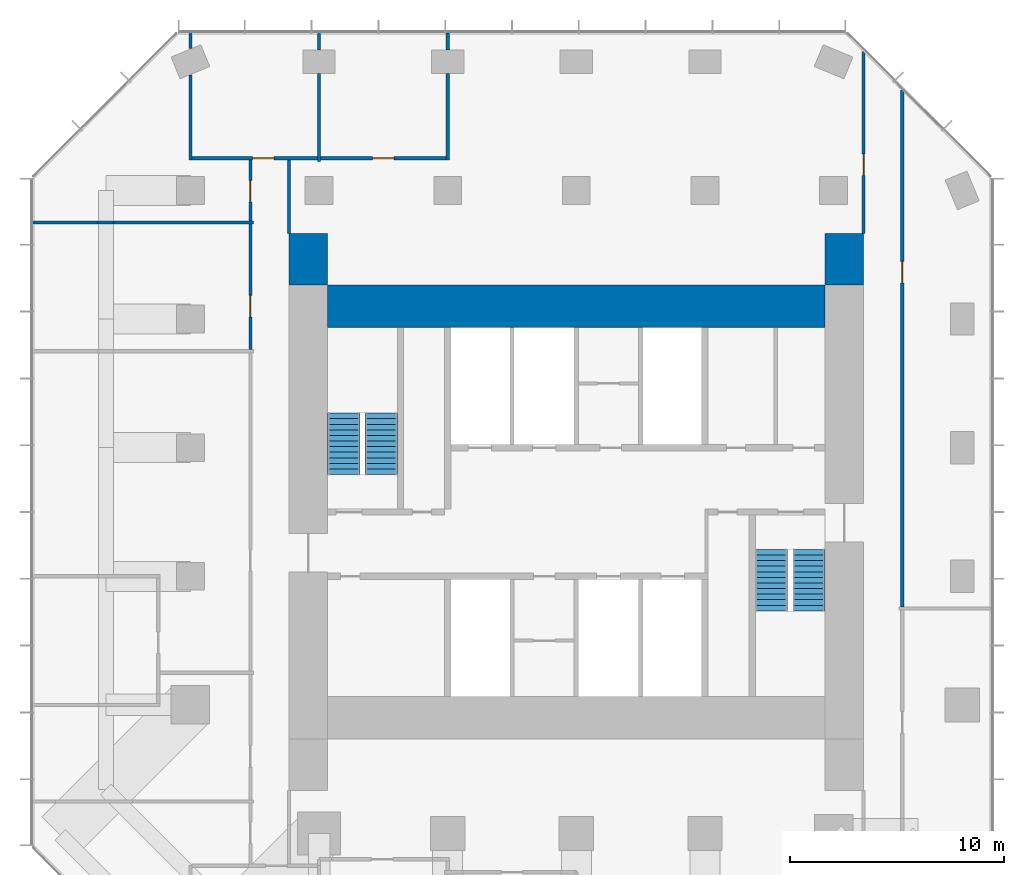
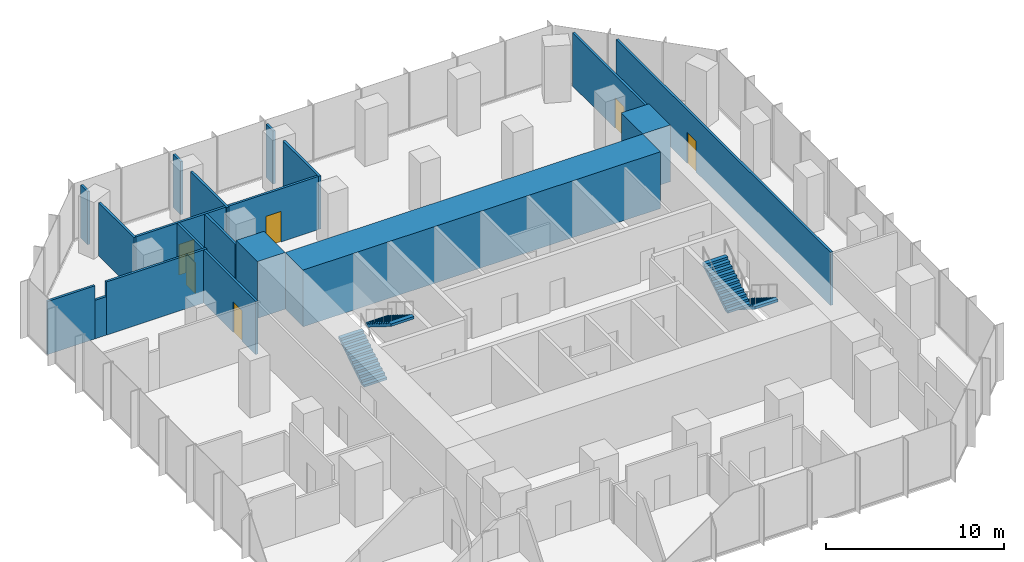
# One storey, part 10 of 11: 19 walls, 6 doors, 4 stair flights, 6 openings, 2 elements without a shape of their own.
"""IFC4 building model written with IfcOpenShell, lengths in metres."""

from ifc_helpers import new_model, si_unit, direction, frame, frame_2d, origin, place, context, subcontext, project, spatial, polyline, rectangle, outline, extrude, material, layer, layer_set, type_object, element, fill, aggregate, save


model = new_model("IFC4")

# Units and contexts
model_context = context("Model", 3, precision=1e-05, world=origin(), true_north=direction((0.0, 1.0)))
body_context = subcontext(model_context, "Body", "Model", "MODEL_VIEW")
ifc_project = project(units=[si_unit("LENGTHUNIT", "METRE"), si_unit("AREAUNIT", "SQUARE_METRE"), si_unit("VOLUMEUNIT", "CUBIC_METRE"), si_unit("PLANEANGLEUNIT", "RADIAN"), si_unit("MASSUNIT", "GRAM", prefix="KILO")], contexts=[model_context])

# Site, building, storey
site_placement = place(None, origin())
site = spatial("IfcSite", under=ifc_project, at=site_placement, CompositionType="ELEMENT")
building_placement = place(site_placement, origin())
building = spatial("IfcBuilding", under=site, at=building_placement, Name="Highveld Stack Headquarters", CompositionType="ELEMENT")
storey_placement = place(building_placement, frame((0.0, 0.0, 224.0)))
storey = spatial("IfcBuildingStorey", under=building, at=storey_placement, Name="L55", CompositionType="ELEMENT", Elevation=224.0)

# Walls
ifc_material_1 = material(Name="Concrete C60/75", Category="concrete")
ifc_layer_1 = layer(ifc_material_1, 2.0)
ifc_layer_set_1 = layer_set([ifc_layer_1], Name="Concrete C60/75")
wall_type_1 = type_object("IfcWallType", Name="CORE WALL 2000 C60/75", PredefinedType="SHEAR", material=ifc_layer_set_1)
wall_1_placement = place(storey_placement, frame((-5.60009765625, 12.60009765625, 0.0), z_axis=(0.0, 0.0, 1.0), x_axis=(1.0, 0.0, 0.0)))
element("IfcWall", 1, at=wall_1_placement, inside=storey, type_object=wall_type_1, Name="Core wall N L55", PredefinedType="SHEAR", context=body_context, shape_type="SweptSolid", body=[
    extrude(rectangle(XDim=23.2001953125, YDim=2.0, at=frame_2d((11.60009765625, 0.0))), origin(), (0.0, 0.0, 1.0), 3.89990234375),
])
ifc_material_2 = material(Name="Concrete C60/75", Category="concrete")
ifc_layer_2 = layer(ifc_material_2, 1.800048828125)
ifc_layer_set_2 = layer_set([ifc_layer_2], Name="Concrete C60/75")
wall_type_2 = type_object("IfcWallType", Name="CORE WING WALL 1800 C60/75", PredefinedType="SHEAR", material=ifc_layer_set_2)
for number, where, z_axis, x_axis, name in (
    (2, (-6.5, 13.60009765625, 0.0), (0.0, 0.0, 1.0), (0.0, 1.0, 0.0), "Core wing wall WN L55"),
    (3, (18.5, 13.60009765625, 0.0), (0.0, 0.0, 1.0), (0.0, 1.0, 0.0), "Core wing wall EN L55"),
):
    element("IfcWall", number, at=place(storey_placement, frame(where, z_axis=z_axis, x_axis=x_axis)), inside=storey, type_object=wall_type_2, Name=name, PredefinedType="SHEAR", context=body_context, shape_type="SweptSolid", body=[
        extrude(rectangle(XDim=2.39990234375, YDim=1.800048828125, at=frame_2d((1.199951171875, 0.0))), origin(), (0.0, 0.0, 1.0), 3.89990234375),
    ])

# Wall, opening, door
ifc_material_3 = material(Name="Gypsum plasterboard on steel studs", Category="steel")
ifc_layer_3 = layer(ifc_material_3, 0.14990234375)
ifc_layer_set_3 = layer_set([ifc_layer_3], Name="Gypsum plasterboard on steel studs")
wall_type_3 = type_object("IfcWallType", Name="PARTITION 150 PLASTERBOARD", PredefinedType="PARTITIONING", material=ifc_layer_set_3)
wall_2_placement = place(storey_placement, frame((-11.925048828125, 19.5, 0.0), z_axis=(0.0, 0.0, 1.0), x_axis=(1.0, 0.0, 0.0)))
wall_2 = element("IfcWall", 4, at=wall_2_placement, inside=storey, type_object=wall_type_3, Name="Partition Quiet room L55", PredefinedType="PARTITIONING", context=body_context, shape_type="SweptSolid", body=[
    extrude(rectangle(XDim=5.85009765625, YDim=0.14990234375, at=frame_2d((2.925048828125, 0.0))), origin(), (0.0, 0.0, 1.0), 3.64990234375),
])
opening_1_placement = place(wall_2_placement, frame((2.824951171875, 0.0, 0.0)))
opening_1 = element("IfcOpeningElement", 5, at=opening_1_placement, cuts=wall_2, Name="Opening L55-19", PredefinedType="OPENING", context=body_context, shape_type="SweptSolid", body=[
    extrude(rectangle(XDim=1.0, YDim=2.10009765625, at=frame_2d((0.5, 1.050048828125))), frame((0.0, 0.0849609375, 0.0), z_axis=(0.0, -1.0, 0.0), x_axis=(1.0, 0.0, 0.0)), (0.0, 0.0, 1.0), 0.169921875),
])
ifc_material_4 = material(Name="Timber door, oiled ash", Category="wood")
door_type = type_object("IfcDoorType", Name="ROOM DOOR D6 1000x2100", OperationType="SINGLE_SWING_LEFT", PredefinedType="DOOR", material=ifc_material_4)
door_1_placement = place(opening_1_placement, origin())
door_1 = element("IfcDoor", 6, at=door_1_placement, inside=storey, type_object=door_type, Name="Quiet room door 1 L55", OperationType="SINGLE_SWING_RIGHT", OverallHeight=2.10009765625, OverallWidth=1.0, PredefinedType="DOOR", context=body_context, shape_type="SweptSolid", body=[
    extrude(rectangle(XDim=1.0, YDim=2.10009765625, at=frame_2d((0.5, 1.050048828125))), frame((0.0, 0.02490234375, 0.0), z_axis=(0.0, -1.0, 0.0), x_axis=(1.0, 0.0, 0.0)), (0.0, 0.0, 1.0), 0.050048828125),
])
fill(opening_1, door_1)

wall_3_placement = place(storey_placement, frame((-5.925048828125, 19.5, 0.0), z_axis=(0.0, 0.0, 1.0), x_axis=(1.0, 0.0, 0.0)))
wall_3 = element("IfcWall", 7, at=wall_3_placement, inside=storey, type_object=wall_type_3, Name="Partition Quiet room L55", PredefinedType="PARTITIONING", context=body_context, shape_type="SweptSolid", body=[
    extrude(rectangle(XDim=5.85009765625, YDim=0.14990234375, at=frame_2d((2.925048828125, 0.0))), origin(), (0.0, 0.0, 1.0), 3.64990234375),
])
opening_2_placement = place(wall_3_placement, frame((2.425048828125, 0.0, 0.0)))
opening_2 = element("IfcOpeningElement", 8, at=opening_2_placement, cuts=wall_3, Name="Opening L55-20", PredefinedType="OPENING", context=body_context, shape_type="SweptSolid", body=[
    extrude(rectangle(XDim=1.0, YDim=2.10009765625, at=frame_2d((0.5, 1.050048828125))), frame((0.0, 0.0849609375, 0.0), z_axis=(0.0, -1.0, 0.0), x_axis=(1.0, 0.0, 0.0)), (0.0, 0.0, 1.0), 0.169921875),
])
door_2_placement = place(opening_2_placement, origin())
door_2 = element("IfcDoor", 9, at=door_2_placement, inside=storey, type_object=door_type, Name="Quiet room door 1 L55", OperationType="SINGLE_SWING_RIGHT", OverallHeight=2.10009765625, OverallWidth=1.0, PredefinedType="DOOR", context=body_context, shape_type="SweptSolid", body=[
    extrude(rectangle(XDim=1.0, YDim=2.10009765625, at=frame_2d((0.5, 1.050048828125))), frame((0.0, 0.02490234375, 0.0), z_axis=(0.0, -1.0, 0.0), x_axis=(1.0, 0.0, 0.0)), (0.0, 0.0, 1.0), 0.050048828125),
])
fill(opening_2, door_2)

# Walls
wall_4_placement = place(storey_placement, frame((-12.0, 19.425048828125, 0.0), z_axis=(0.0, 0.0, 1.0), x_axis=(0.0, 1.0, 0.0)))
element("IfcWall", 10, at=wall_4_placement, inside=storey, type_object=wall_type_3, Name="Partition Quiet room L55", PredefinedType="PARTITIONING", context=body_context, shape_type="SweptSolid", body=[
    extrude(rectangle(XDim=3.948486328125, YDim=0.14990234375, at=frame_2d((1.97412109375, 0.0))), origin(), (0.0, 0.0, 1.0), 3.64990234375),
])
wall_5_placement = place(storey_placement, frame((-12.0, 24.62646484375, 0.0), z_axis=(0.0, 0.0, 1.0), x_axis=(0.0, 1.0, 0.0)))
element("IfcWall", 11, at=wall_5_placement, inside=storey, type_object=wall_type_3, Name="Partition Quiet room L55", PredefinedType="PARTITIONING", context=body_context, shape_type="SweptSolid", body=[
    extrude(rectangle(XDim=0.7734375, YDim=0.14990234375, at=frame_2d((0.38671875, 0.0))), origin(), (0.0, 0.0, 1.0), 3.64990234375),
])
wall_6_placement = place(storey_placement, frame((-6.0, 19.35009765625, 0.0), z_axis=(0.0, 0.0, 1.0), x_axis=(0.0, 1.0, 0.0)))
element("IfcWall", 12, at=wall_6_placement, inside=storey, type_object=wall_type_3, Name="Partition Quiet room L55", PredefinedType="PARTITIONING", context=body_context, shape_type="SweptSolid", body=[
    extrude(rectangle(XDim=4.099853515625, YDim=0.14990234375, at=frame_2d((2.0498046875, 0.0))), origin(), (0.0, 0.0, 1.0), 3.64990234375),
])
wall_7_placement = place(storey_placement, frame((-6.0, 24.550048828125, 0.0), z_axis=(0.0, 0.0, 1.0), x_axis=(0.0, 1.0, 0.0)))
element("IfcWall", 13, at=wall_7_placement, inside=storey, type_object=wall_type_3, Name="Partition Quiet room L55", PredefinedType="PARTITIONING", context=body_context, shape_type="SweptSolid", body=[
    extrude(rectangle(XDim=0.849853515625, YDim=0.14990234375, at=frame_2d((0.4248046875, 0.0))), origin(), (0.0, 0.0, 1.0), 3.64990234375),
])
wall_8_placement = place(storey_placement, frame((0.0, 19.425048828125, 0.0), z_axis=(0.0, 0.0, 1.0), x_axis=(0.0, 1.0, 0.0)))
element("IfcWall", 14, at=wall_8_placement, inside=storey, type_object=wall_type_3, Name="Partition Quiet room L55", PredefinedType="PARTITIONING", context=body_context, shape_type="SweptSolid", body=[
    extrude(rectangle(XDim=4.02490234375, YDim=0.14990234375, at=frame_2d((2.012451171875, 0.0))), origin(), (0.0, 0.0, 1.0), 3.64990234375),
])
wall_9_placement = place(storey_placement, frame((0.0, 24.550048828125, 0.0), z_axis=(0.0, 0.0, 1.0), x_axis=(0.0, 1.0, 0.0)))
element("IfcWall", 15, at=wall_9_placement, inside=storey, type_object=wall_type_3, Name="Partition Quiet room L55", PredefinedType="PARTITIONING", context=body_context, shape_type="SweptSolid", body=[
    extrude(rectangle(XDim=0.800048828125, YDim=0.14990234375, at=frame_2d((0.39990234375, 0.0))), origin(), (0.0, 0.0, 1.0), 3.64990234375),
])
wall_10_placement = place(storey_placement, frame((-19.39990234375, 16.5, 0.0), z_axis=(0.0, 0.0, 1.0), x_axis=(1.0, 0.0, 0.0)))
element("IfcWall", 16, at=wall_10_placement, inside=storey, type_object=wall_type_3, Name="Partition office neighbourhood L55", PredefinedType="PARTITIONING", context=body_context, shape_type="SweptSolid", body=[
    extrude(rectangle(XDim=3.08984375, YDim=0.14990234375, at=frame_2d((1.544921875, 0.0))), origin(), (0.0, 0.0, 1.0), 3.64990234375),
])
wall_11_placement = place(storey_placement, frame((-16.31005859375, 16.5, 0.0), z_axis=(0.0, 0.0, 1.0), x_axis=(1.0, 0.0, 0.0)))
element("IfcWall", 17, at=wall_11_placement, inside=storey, type_object=wall_type_3, Name="Partition office neighbourhood L55", PredefinedType="PARTITIONING", context=body_context, shape_type="SweptSolid", body=[
    extrude(rectangle(XDim=0.719970703125, YDim=0.14990234375, at=frame_2d((0.35986328125, 0.0))), origin(), (0.0, 0.0, 1.0), 2.64990234375),
])
wall_12_placement = place(storey_placement, frame((-15.590087890625, 16.5, 0.0), z_axis=(0.0, 0.0, 1.0), x_axis=(1.0, 0.0, 0.0)))
element("IfcWall", 18, at=wall_12_placement, inside=storey, type_object=wall_type_3, Name="Partition office neighbourhood L55", PredefinedType="PARTITIONING", context=body_context, shape_type="SweptSolid", body=[
    extrude(rectangle(XDim=6.5400390625, YDim=0.14990234375, at=frame_2d((3.27001953125, 0.0))), origin(), (0.0, 0.0, 1.0), 3.64990234375),
])

# Wall, opening, door
wall_13_placement = place(storey_placement, frame((-9.199951171875, 10.574951171875, 0.0), z_axis=(0.0, 0.0, 1.0), x_axis=(0.0, 1.0, 0.0)))
wall_13 = element("IfcWall", 19, at=wall_13_placement, inside=storey, type_object=wall_type_3, Name="Partition office neighbourhood L55", PredefinedType="PARTITIONING", context=body_context, shape_type="SweptSolid", body=[
    extrude(rectangle(XDim=5.85009765625, YDim=0.14990234375, at=frame_2d((2.925048828125, 0.0))), origin(), (0.0, 0.0, 1.0), 3.64990234375),
])
opening_3_placement = place(wall_13_placement, frame((1.52490234375, 0.0, 0.0)))
opening_3 = element("IfcOpeningElement", 20, at=opening_3_placement, cuts=wall_13, Name="Opening L55-27", PredefinedType="OPENING", context=body_context, shape_type="SweptSolid", body=[
    extrude(rectangle(XDim=1.0, YDim=2.10009765625, at=frame_2d((0.5, 1.050048828125))), frame((0.0, 0.0849609375, 0.0), z_axis=(0.0, -1.0, 0.0), x_axis=(1.0, 0.0, 0.0)), (0.0, 0.0, 1.0), 0.169921875),
])
door_3_placement = place(opening_3_placement, origin())
door_3 = element("IfcDoor", 21, at=door_3_placement, inside=storey, type_object=door_type, Name="Office neighbourhood door L55", OperationType="SINGLE_SWING_LEFT", OverallHeight=2.10009765625, OverallWidth=1.0, PredefinedType="DOOR", context=body_context, shape_type="SweptSolid", body=[
    extrude(rectangle(XDim=1.0, YDim=2.10009765625, at=frame_2d((0.5, 1.050048828125))), frame((0.0, 0.02490234375, 0.0), z_axis=(0.0, -1.0, 0.0), x_axis=(1.0, 0.0, 0.0)), (0.0, 0.0, 1.0), 0.050048828125),
])
fill(opening_3, door_3)

wall_14_placement = place(storey_placement, frame((-9.199951171875, 16.574951171875, 0.0), z_axis=(0.0, 0.0, 1.0), x_axis=(0.0, 1.0, 0.0)))
wall_14 = element("IfcWall", 22, at=wall_14_placement, inside=storey, type_object=wall_type_3, Name="Partition office neighbourhood L55", PredefinedType="PARTITIONING", context=body_context, shape_type="SweptSolid", body=[
    extrude(rectangle(XDim=2.85009765625, YDim=0.14990234375, at=frame_2d((1.425048828125, 0.0))), origin(), (0.0, 0.0, 1.0), 3.64990234375),
])
opening_4_placement = place(wall_14_placement, frame((0.886962890625, 0.0, 0.0)))
opening_4 = element("IfcOpeningElement", 23, at=opening_4_placement, cuts=wall_14, Name="Opening L55-29", PredefinedType="OPENING", context=body_context, shape_type="SweptSolid", body=[
    extrude(rectangle(XDim=1.0, YDim=2.10009765625, at=frame_2d((0.5, 1.050048828125))), frame((0.0, 0.0849609375, 0.0), z_axis=(0.0, -1.0, 0.0), x_axis=(1.0, 0.0, 0.0)), (0.0, 0.0, 1.0), 0.169921875),
])
door_4_placement = place(opening_4_placement, origin())
door_4 = element("IfcDoor", 24, at=door_4_placement, inside=storey, type_object=door_type, Name="Office neighbourhood door L55", OperationType="SINGLE_SWING_LEFT", OverallHeight=2.10009765625, OverallWidth=1.0, PredefinedType="DOOR", context=body_context, shape_type="SweptSolid", body=[
    extrude(rectangle(XDim=1.0, YDim=2.10009765625, at=frame_2d((0.5, 1.050048828125))), frame((0.0, 0.02490234375, 0.0), z_axis=(0.0, -1.0, 0.0), x_axis=(1.0, 0.0, 0.0)), (0.0, 0.0, 1.0), 0.050048828125),
])
fill(opening_4, door_4)

# Wall
wall_15_placement = place(storey_placement, frame((-7.39990234375, 16.0, 0.0), z_axis=(0.0, 0.0, 1.0), x_axis=(0.0, 1.0, 0.0)))
element("IfcWall", 25, at=wall_15_placement, inside=storey, type_object=wall_type_3, Name="Partition office neighbourhood L55", PredefinedType="PARTITIONING", context=body_context, shape_type="SweptSolid", body=[
    extrude(rectangle(XDim=3.425048828125, YDim=0.14990234375, at=frame_2d((1.71240234375, 0.0))), origin(), (0.0, 0.0, 1.0), 3.64990234375),
])

# Wall, opening, door
wall_16_placement = place(storey_placement, frame((19.39990234375, 16.0, 0.0), z_axis=(0.0, 0.0, 1.0), x_axis=(0.0, 1.0, 0.0)))
wall_16 = element("IfcWall", 26, at=wall_16_placement, inside=storey, type_object=wall_type_3, Name="Partition office neighbourhood L55", PredefinedType="PARTITIONING", context=body_context, shape_type="SweptSolid", body=[
    extrude(rectangle(XDim=8.489013671875, YDim=0.14990234375, at=frame_2d((4.24462890625, 0.0))), origin(), (0.0, 0.0, 1.0), 3.64990234375),
])
opening_5_placement = place(wall_16_placement, frame((2.699951171875, 0.0, 0.0)))
opening_5 = element("IfcOpeningElement", 27, at=opening_5_placement, cuts=wall_16, Name="Opening L55-28", PredefinedType="OPENING", context=body_context, shape_type="SweptSolid", body=[
    extrude(rectangle(XDim=1.0, YDim=2.10009765625, at=frame_2d((0.5, 1.050048828125))), frame((0.0, 0.0849609375, 0.0), z_axis=(0.0, -1.0, 0.0), x_axis=(1.0, 0.0, 0.0)), (0.0, 0.0, 1.0), 0.169921875),
])
door_5_placement = place(opening_5_placement, origin())
door_5 = element("IfcDoor", 28, at=door_5_placement, inside=storey, type_object=door_type, Name="Office neighbourhood door L55", OperationType="SINGLE_SWING_LEFT", OverallHeight=2.10009765625, OverallWidth=1.0, PredefinedType="DOOR", context=body_context, shape_type="SweptSolid", body=[
    extrude(rectangle(XDim=1.0, YDim=2.10009765625, at=frame_2d((0.5, 1.050048828125))), frame((0.0, 0.02490234375, 0.0), z_axis=(0.0, -1.0, 0.0), x_axis=(1.0, 0.0, 0.0)), (0.0, 0.0, 1.0), 0.050048828125),
])
fill(opening_5, door_5)

wall_17_placement = place(storey_placement, frame((21.199951171875, -1.425048828125, 0.0), z_axis=(0.0, 0.0, 1.0), x_axis=(0.0, 1.0, 0.0)))
wall_17 = element("IfcWall", 29, at=wall_17_placement, inside=storey, type_object=wall_type_3, Name="Partition office neighbourhood L55", PredefinedType="PARTITIONING", context=body_context, shape_type="SweptSolid", body=[
    extrude(rectangle(XDim=24.114013671875, YDim=0.14990234375, at=frame_2d((12.05712890625, 0.0))), origin(), (0.0, 0.0, 1.0), 3.64990234375),
])
opening_6_placement = place(wall_17_placement, frame((15.114990234375, 0.0, 0.0)))
opening_6 = element("IfcOpeningElement", 30, at=opening_6_placement, cuts=wall_17, Name="Opening L55-26", PredefinedType="OPENING", context=body_context, shape_type="SweptSolid", body=[
    extrude(rectangle(XDim=1.0, YDim=2.10009765625, at=frame_2d((0.5, 1.050048828125))), frame((0.0, 0.0849609375, 0.0), z_axis=(0.0, -1.0, 0.0), x_axis=(1.0, 0.0, 0.0)), (0.0, 0.0, 1.0), 0.169921875),
])
door_6_placement = place(opening_6_placement, origin())
door_6 = element("IfcDoor", 31, at=door_6_placement, inside=storey, type_object=door_type, Name="Office neighbourhood door L55", OperationType="SINGLE_SWING_RIGHT", OverallHeight=2.10009765625, OverallWidth=1.0, PredefinedType="DOOR", context=body_context, shape_type="SweptSolid", body=[
    extrude(rectangle(XDim=1.0, YDim=2.10009765625, at=frame_2d((0.5, 1.050048828125))), frame((0.0, 0.02490234375, 0.0), z_axis=(0.0, -1.0, 0.0), x_axis=(1.0, 0.0, 0.0)), (0.0, 0.0, 1.0), 0.050048828125),
])
fill(opening_6, door_6)

# Stair, stair flights
ifc_material_5 = material(Name="Concrete C40/50, precast", Category="concrete")
stair_type_1 = type_object("IfcStairType", Name="STAIR S1 HALF TURN 1500", PredefinedType="HALF_TURN_STAIR", material=ifc_material_5)
stair_1_placement = place(storey_placement, origin())
stair_1 = element("IfcStair", 32, at=stair_1_placement, inside=storey, type_object=stair_type_1, Name="Stair S1 L55", PredefinedType="HALF_TURN_STAIR")
ifc_material_6 = material(Name="Concrete C40/50, precast", Category="concrete")
stair_flight_type = type_object("IfcStairFlightType", Name="STAIR FLIGHT 1500 PRECAST", PredefinedType="STRAIGHT", material=ifc_material_6)
stair_flight_1_placement = place(storey_placement, frame((-4.85009765625, 4.75, 0.0), z_axis=(0.0, 0.0, 1.0), x_axis=(0.0, 1.0, 0.0)))
stair_flight_1 = element("IfcStairFlight", 33, at=stair_flight_1_placement, type_object=stair_flight_type, Name="S1 flight 1", NumberOfRisers=12, NumberOfTreads=11, PredefinedType="STRAIGHT", RiserHeight=0.1625, TreadLength=0.26, context=body_context, shape_type="SweptSolid", body=[
    extrude(outline(polyline([(0.0, 0.0), (0.0, 0.16259765625), (0.260009765625, 0.16259765625), (0.260009765625, 0.324951171875), (0.52001953125, 0.324951171875), (0.52001953125, 0.487548828125), (0.780029296875, 0.487548828125), (0.780029296875, 0.64990234375), (1.0400390625, 0.64990234375), (1.0400390625, 0.8125), (1.300048828125, 0.8125), (1.300048828125, 0.97509765625), (1.56005859375, 0.97509765625), (1.56005859375, 1.137451171875), (1.820068359375, 1.137451171875), (1.820068359375, 1.300048828125), (2.080078125, 1.300048828125), (2.080078125, 1.46240234375), (2.340087890625, 1.46240234375), (2.340087890625, 1.625), (2.60009765625, 1.625), (2.60009765625, 1.78759765625), (2.860107421875, 1.78759765625), (2.860107421875, 1.949951171875), (2.860107421875, 1.61083984375), (0.28271484375, 0.0), (0.0, 0.0)])), frame((0.0, 0.75, 0.0), z_axis=(0.0, -1.0, 0.0), x_axis=(1.0, 0.0, 0.0)), (0.0, 0.0, 1.0), 1.5),
])
stair_flight_2_placement = place(storey_placement, frame((-3.10009765625, 7.610107421875, 1.949951171875), z_axis=(0.0, 0.0, 1.0), x_axis=(0.0, -1.0, 0.0)))
stair_flight_2 = element("IfcStairFlight", 34, at=stair_flight_2_placement, type_object=stair_flight_type, Name="S1 flight 2", NumberOfRisers=12, NumberOfTreads=11, PredefinedType="STRAIGHT", RiserHeight=0.1625, TreadLength=0.26, context=body_context, shape_type="SweptSolid", body=[
    extrude(outline(polyline([(0.0, 0.0), (0.0, 0.16259765625), (0.260009765625, 0.16259765625), (0.260009765625, 0.324951171875), (0.52001953125, 0.324951171875), (0.52001953125, 0.487548828125), (0.780029296875, 0.487548828125), (0.780029296875, 0.64990234375), (1.0400390625, 0.64990234375), (1.0400390625, 0.8125), (1.300048828125, 0.8125), (1.300048828125, 0.97509765625), (1.56005859375, 0.97509765625), (1.56005859375, 1.137451171875), (1.820068359375, 1.137451171875), (1.820068359375, 1.300048828125), (2.080078125, 1.300048828125), (2.080078125, 1.46240234375), (2.340087890625, 1.46240234375), (2.340087890625, 1.625), (2.60009765625, 1.625), (2.60009765625, 1.78759765625), (2.860107421875, 1.78759765625), (2.860107421875, 1.949951171875), (2.860107421875, 1.61083984375), (0.28271484375, 0.0), (0.0, 0.0)])), frame((0.0, 0.75, 0.0), z_axis=(0.0, -1.0, 0.0), x_axis=(1.0, 0.0, 0.0)), (0.0, 0.0, 1.0), 1.5),
])
aggregate(stair_1, [stair_flight_1, stair_flight_2])

ifc_material_7 = material(Name="Concrete C40/50, precast", Category="concrete")
stair_type_2 = type_object("IfcStairType", Name="STAIR S2 HALF TURN 1500", PredefinedType="HALF_TURN_STAIR", material=ifc_material_7)
stair_2_placement = place(storey_placement, origin())
stair_2 = element("IfcStair", 35, at=stair_2_placement, inside=storey, type_object=stair_type_2, Name="Stair S2 L55", PredefinedType="HALF_TURN_STAIR")
stair_flight_3_placement = place(storey_placement, frame((16.85009765625, 1.25, 0.0), z_axis=(0.0, 0.0, 1.0), x_axis=(0.0, -1.0, 0.0)))
stair_flight_3 = element("IfcStairFlight", 36, at=stair_flight_3_placement, type_object=stair_flight_type, Name="S2 flight 1", NumberOfRisers=12, NumberOfTreads=11, PredefinedType="STRAIGHT", RiserHeight=0.1625, TreadLength=0.26, context=body_context, shape_type="SweptSolid", body=[
    extrude(outline(polyline([(0.0, 0.0), (0.0, 0.16259765625), (0.260009765625, 0.16259765625), (0.260009765625, 0.324951171875), (0.52001953125, 0.324951171875), (0.52001953125, 0.487548828125), (0.780029296875, 0.487548828125), (0.780029296875, 0.64990234375), (1.0400390625, 0.64990234375), (1.0400390625, 0.8125), (1.300048828125, 0.8125), (1.300048828125, 0.97509765625), (1.56005859375, 0.97509765625), (1.56005859375, 1.137451171875), (1.820068359375, 1.137451171875), (1.820068359375, 1.300048828125), (2.080078125, 1.300048828125), (2.080078125, 1.46240234375), (2.340087890625, 1.46240234375), (2.340087890625, 1.625), (2.60009765625, 1.625), (2.60009765625, 1.78759765625), (2.860107421875, 1.78759765625), (2.860107421875, 1.949951171875), (2.860107421875, 1.61083984375), (0.28271484375, 0.0), (0.0, 0.0)])), frame((0.0, 0.75, 0.0), z_axis=(0.0, -1.0, 0.0), x_axis=(1.0, 0.0, 0.0)), (0.0, 0.0, 1.0), 1.5),
])
stair_flight_4_placement = place(storey_placement, frame((15.10009765625, -1.610107421875, 1.949951171875), z_axis=(0.0, 0.0, 1.0), x_axis=(0.0, 1.0, 0.0)))
stair_flight_4 = element("IfcStairFlight", 37, at=stair_flight_4_placement, type_object=stair_flight_type, Name="S2 flight 2", NumberOfRisers=12, NumberOfTreads=11, PredefinedType="STRAIGHT", RiserHeight=0.1625, TreadLength=0.26, context=body_context, shape_type="SweptSolid", body=[
    extrude(outline(polyline([(0.0, 0.0), (0.0, 0.16259765625), (0.260009765625, 0.16259765625), (0.260009765625, 0.324951171875), (0.52001953125, 0.324951171875), (0.52001953125, 0.487548828125), (0.780029296875, 0.487548828125), (0.780029296875, 0.64990234375), (1.0400390625, 0.64990234375), (1.0400390625, 0.8125), (1.300048828125, 0.8125), (1.300048828125, 0.97509765625), (1.56005859375, 0.97509765625), (1.56005859375, 1.137451171875), (1.820068359375, 1.137451171875), (1.820068359375, 1.300048828125), (2.080078125, 1.300048828125), (2.080078125, 1.46240234375), (2.340087890625, 1.46240234375), (2.340087890625, 1.625), (2.60009765625, 1.625), (2.60009765625, 1.78759765625), (2.860107421875, 1.78759765625), (2.860107421875, 1.949951171875), (2.860107421875, 1.61083984375), (0.28271484375, 0.0), (0.0, 0.0)])), frame((0.0, 0.75, 0.0), z_axis=(0.0, -1.0, 0.0), x_axis=(1.0, 0.0, 0.0)), (0.0, 0.0, 1.0), 1.5),
])
aggregate(stair_2, [stair_flight_3, stair_flight_4])

save(model, "model.ifc")
